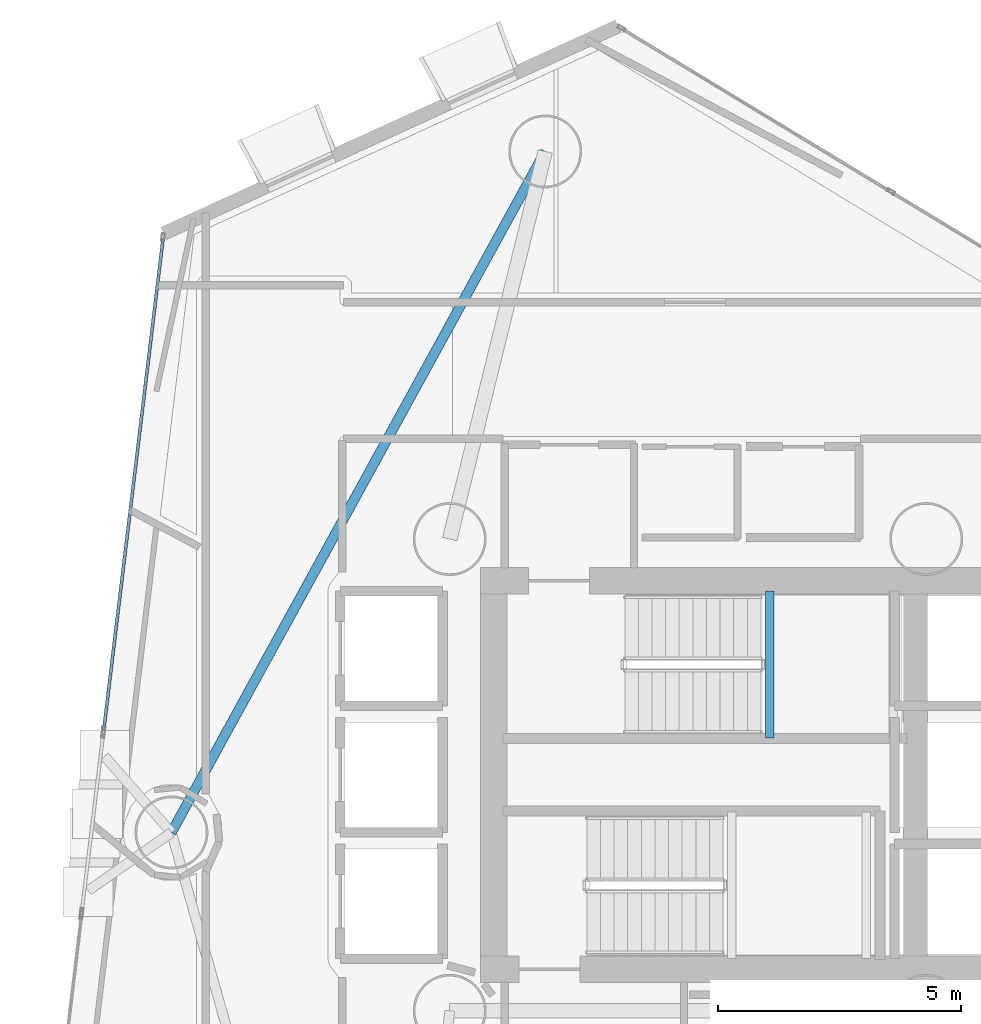
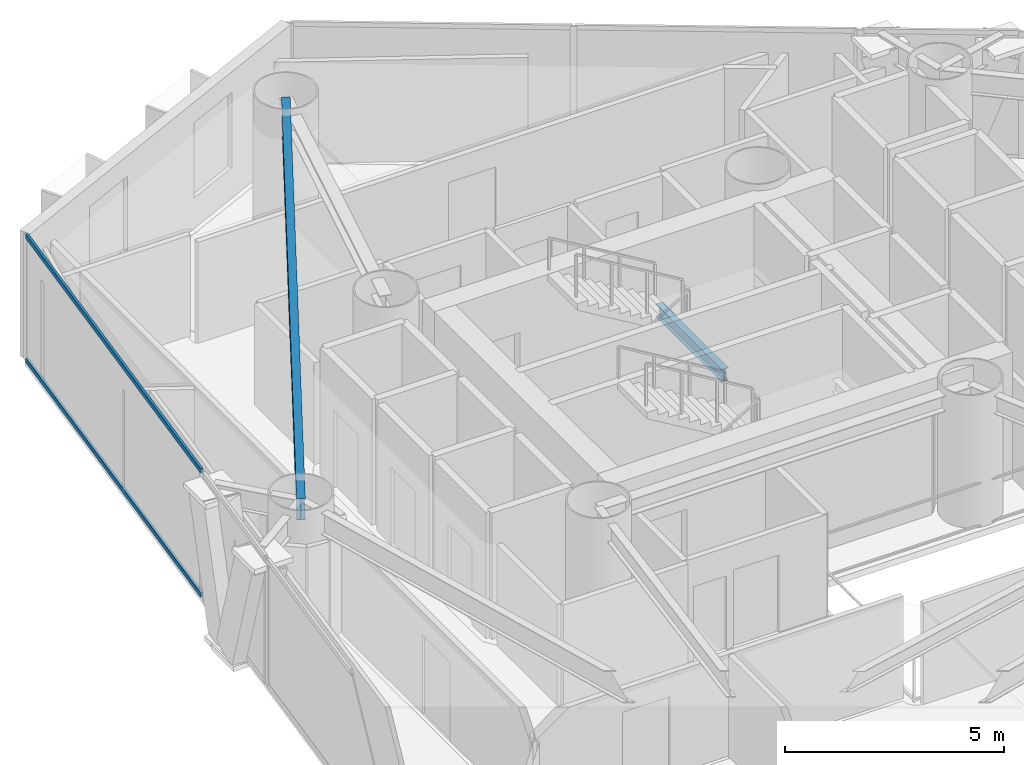
# One storey, part 7 of 18: 2 beams, 2 members, 1 element without a shape of its own.
"""IFC4 building model written with IfcOpenShell, lengths in metres."""

from ifc_helpers import new_model, si_unit, direction, frame, origin, origin_2d, place, context, subcontext, project, spatial, hollow_rectangle, i_section, extrude, material, layer, layer_set, material_profile, profile_set, type_object, element, aggregate, save


model = new_model("IFC4")

# Units and contexts
model_context = context("Model", 3, precision=1e-05, world=origin(), true_north=direction((0.0, 1.0)))
body_context = subcontext(model_context, "Body", "Model", "MODEL_VIEW")
ifc_project = project(units=[si_unit("LENGTHUNIT", "METRE"), si_unit("AREAUNIT", "SQUARE_METRE"), si_unit("VOLUMEUNIT", "CUBIC_METRE"), si_unit("PLANEANGLEUNIT", "RADIAN"), si_unit("MASSUNIT", "GRAM", prefix="KILO")], contexts=[model_context])

# Site, building, storey
site_placement = place(None, origin())
site = spatial("IfcSite", under=ifc_project, at=site_placement, CompositionType="ELEMENT")
building_placement = place(site_placement, origin())
building = spatial("IfcBuilding", under=site, at=building_placement, Name="Qianvela Tower", CompositionType="ELEMENT")
storey_placement = place(building_placement, frame((0.0, 0.0, 116.300048828125)))
storey = spatial("IfcBuildingStorey", under=building, at=storey_placement, Name="L29", CompositionType="ELEMENT", Elevation=116.300048828125)

# Beams
ifc_material_1 = material(Name="Steel Q355B", Category="steel")
ifc_material_profile_1 = material_profile(ifc_material_1, i_section(OverallWidth=0.175048828125, OverallDepth=0.35009765625, WebThickness=0.007080078125, FlangeThickness=0.010986328125, at=origin_2d()), Name="HN350x175x7x11")
ifc_profile_set_1 = profile_set([ifc_material_profile_1], Name="Steel Q355B")
beam_type_1 = type_object("IfcBeamType", Name="BM-HN350-JOIST", PredefinedType="JOIST", material=ifc_profile_set_1)
beam_1_placement = place(storey_placement, frame((35.179931640625, 29.4599609375, 1.474853515625), z_axis=(0.0, 1.0, 0.0), x_axis=(-1.0, 0.0, 0.0)))
element("IfcBeam", 1, at=beam_1_placement, inside=storey, type_object=beam_type_1, Name="L29 Stair ST-1 Landing Support Beam 1.1", PredefinedType="JOIST", context=body_context, shape_type="SweptSolid", body=[
    extrude(i_section(OverallWidth=0.175048828125, OverallDepth=0.35009765625, WebThickness=0.007080078125, FlangeThickness=0.010986328125, at=origin_2d()), origin(), (0.0, 0.0, 1.0), 3.02001953125),
])
ifc_material_2 = material(Name="Steel Q355B", Category="steel")
ifc_material_profile_2 = material_profile(ifc_material_2, i_section(OverallWidth=0.199951171875, OverallDepth=0.60009765625, WebThickness=0.010986328125, FlangeThickness=0.01708984375, at=origin_2d()), Name="HN600x200x11x17")
ifc_profile_set_2 = profile_set([ifc_material_profile_2], Name="Steel Q355B")
beam_type_2 = type_object("IfcBeamType", Name="BM-HN600-GIRD", PredefinedType="BEAM", material=ifc_profile_set_2)
beam_2_placement = place(storey_placement, frame((30.56396484375, 41.52099609375, 3.218017578125), z_axis=(-0.481118353038, -0.876655650965, 0.0), x_axis=(0.876655650965, -0.481118353038, 0.0)))
element("IfcBeam", 2, at=beam_2_placement, inside=storey, type_object=beam_type_2, Name="L29 Perimeter Ring Spandrel Girder 3", PredefinedType="BEAM", context=body_context, shape_type="SweptSolid", body=[
    extrude(i_section(OverallWidth=0.199951171875, OverallDepth=0.60009765625, WebThickness=0.010986328125, FlangeThickness=0.01708984375, at=origin_2d()), origin(), (0.0, 0.0, 1.0), 15.975341796875),
])

# Curtain wall, members
ifc_material_3 = material(Name="Anodised Architectural Aluminium and Low-E Glass", Category="aluminium")
ifc_layer = layer(ifc_material_3, 0.169921875)
ifc_layer_set = layer_set([ifc_layer], Name="Anodised Architectural Aluminium and Low-E Glass")
curtain_wall_type = type_object("IfcCurtainWallType", Name="CW-COLIV-Z34", PredefinedType="USERDEFINED", material=ifc_layer_set)
curtain_wall_placement = place(storey_placement, origin())
curtain_wall = element("IfcCurtainWall", 3, at=curtain_wall_placement, inside=storey, type_object=curtain_wall_type, Name="L29 CW-COLIV-Z34 Curtain Wall 04A", ObjectType="CURTAIN_WALL_SYSTEM", PredefinedType="USERDEFINED")
ifc_material_4 = material(Name="Anodised Architectural Aluminium 6063-T6", Category="aluminium")
ifc_material_profile_3 = material_profile(ifc_material_4, hollow_rectangle(XDim=0.06494140625, YDim=0.1298828125, WallThickness=0.00439453125, at=origin_2d()), Name="ALU-TRAN-65x130")
ifc_profile_set_3 = profile_set([ifc_material_profile_3], Name="Anodised Architectural Aluminium 6063-T6")
member_type = type_object("IfcMemberType", Name="CW-COLIV-Z34-TRAN", PredefinedType="USERDEFINED", material=ifc_profile_set_3)
member_1_placement = place(storey_placement, frame((22.70361328125, 39.72314453125, 0.032470703125), z_axis=(-0.11978667523, -0.992799653725, 0.0), x_axis=(0.992799653725, -0.11978667523, 0.0)))
member_1 = element("IfcMember", 4, at=member_1_placement, type_object=member_type, Name="CW-4 transom 1.1", ObjectType="TRANSOM", PredefinedType="USERDEFINED", context=body_context, shape_type="SweptSolid", body=[
    extrude(hollow_rectangle(XDim=0.06494140625, YDim=0.1298828125, WallThickness=0.00439453125, at=origin_2d()), origin(), (0.0, 0.0, 1.0), 10.16015625),
])
member_2_placement = place(storey_placement, frame((22.70361328125, 39.72314453125, 3.487548828125), z_axis=(-0.11978667523, -0.992799653725, 0.0), x_axis=(0.992799653725, -0.11978667523, 0.0)))
member_2 = element("IfcMember", 5, at=member_2_placement, type_object=member_type, Name="CW-4 transom 1.2", ObjectType="TRANSOM", PredefinedType="USERDEFINED", context=body_context, shape_type="SweptSolid", body=[
    extrude(hollow_rectangle(XDim=0.06494140625, YDim=0.1298828125, WallThickness=0.00439453125, at=origin_2d()), origin(), (0.0, 0.0, 1.0), 10.16015625),
])
aggregate(curtain_wall, [member_1, member_2])

save(model, "model.ifc")
